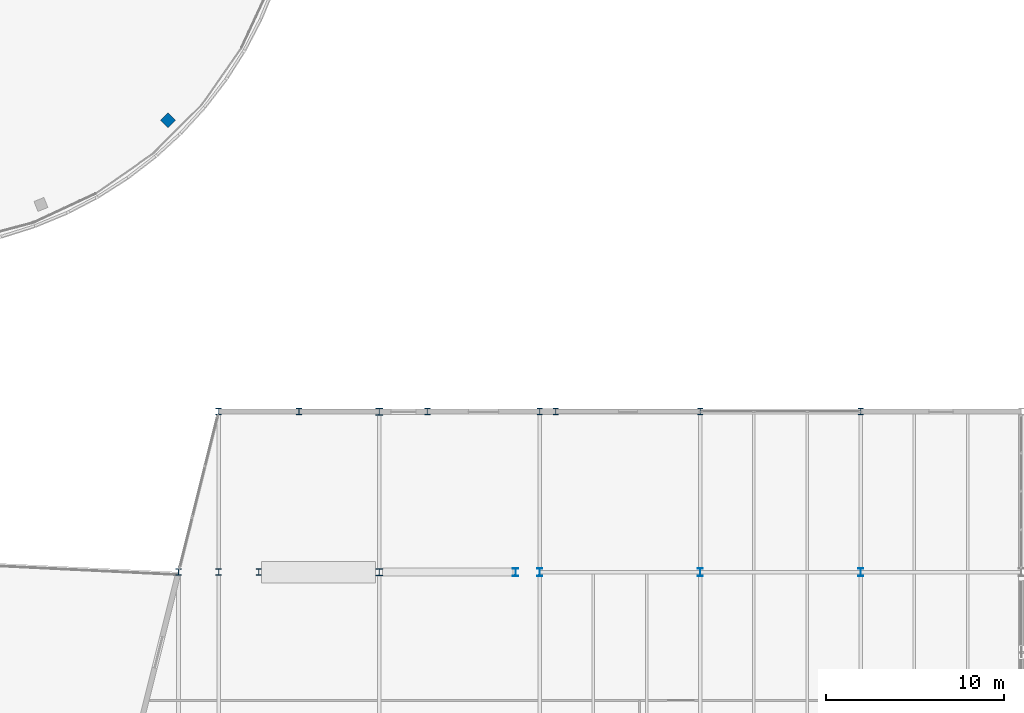
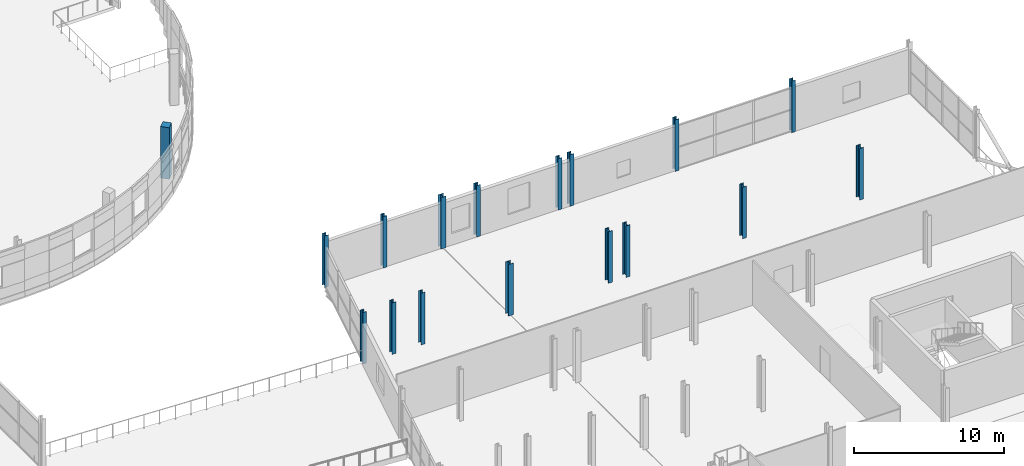
# One storey, part 19 of 135: 17 columns.
"""IFC4 building model written with IfcOpenShell, lengths in metres."""

from ifc_helpers import new_model, si_unit, direction, frame, origin, origin_2d, place, context, subcontext, project, spatial, rectangle, i_section, extrude, material, material_profile, profile_set, type_object, element, save


model = new_model("IFC4")

# Units and contexts
model_context = context("Model", 3, precision=1e-05, world=origin(), true_north=direction((0.0, 1.0)))
body_context = subcontext(model_context, "Body", "Model", "MODEL_VIEW")
ifc_project = project(units=[si_unit("LENGTHUNIT", "METRE"), si_unit("AREAUNIT", "SQUARE_METRE"), si_unit("VOLUMEUNIT", "CUBIC_METRE"), si_unit("PLANEANGLEUNIT", "RADIAN"), si_unit("MASSUNIT", "GRAM", prefix="KILO")], contexts=[model_context])

# Site, building, storey
site_placement = place(None, origin())
site = spatial("IfcSite", under=ifc_project, at=site_placement, CompositionType="ELEMENT")
building_placement = place(site_placement, origin())
building = spatial("IfcBuilding", under=site, at=building_placement, Name="Deido Ridge Mobility Hub", CompositionType="ELEMENT")
storey_placement = place(building_placement, frame((0.0, 0.0, 4.199951171875)))
storey = spatial("IfcBuildingStorey", under=building, at=storey_placement, Name="L01", CompositionType="ELEMENT", Elevation=4.199951171875)

# Columns
ifc_material_1 = material(Name="Steel S355J2 EN 10025-2", Category="steel")
ifc_material_profile_1 = material_profile(ifc_material_1, i_section(OverallWidth=0.39892578125, OverallDepth=0.39306640625, WebThickness=0.017578125, FlangeThickness=0.028076171875, FilletRadius=0.014892578125, at=origin_2d()), Name="HD 400x287")
ifc_profile_set_1 = profile_set([ifc_material_profile_1], Name="Steel S355J2 EN 10025-2")
column_type_1 = type_object("IfcColumnType", Name="COL-HD400-287", PredefinedType="COLUMN", material=ifc_profile_set_1)
for number, where, z_axis, x_axis, name in (
    (1, (144.0, 63.0, 0.0), (0.0, 0.0, 1.0), (1.0, 0.0, 0.0), "Structural column C2"),
    (2, (144.0, 72.0, 0.0), (0.0, 0.0, 1.0), (1.0, 0.0, 0.0), "Structural column C2"),
):
    element("IfcColumn", number, at=place(storey_placement, frame(where, z_axis=z_axis, x_axis=x_axis)), inside=storey, type_object=column_type_1, Name=name, PredefinedType="COLUMN", context=body_context, shape_type="SweptSolid", body=[
        extrude(i_section(OverallWidth=0.39892578125, OverallDepth=0.39306640625, WebThickness=0.017578125, FlangeThickness=0.028076171875, FilletRadius=0.014892578125, at=origin_2d()), origin(), (0.0, 0.0, 1.0), 4.199951171875),
    ])
ifc_material_profile_2 = material_profile(ifc_material_1, i_section(OverallWidth=0.300048828125, OverallDepth=0.360107421875, WebThickness=0.012451171875, FlangeThickness=0.0224609375, FilletRadius=0.027099609375, at=origin_2d()), Name="HEB 360")
ifc_profile_set_2 = profile_set([ifc_material_profile_2], Name="Steel S355J2 EN 10025-2")
column_type_2 = type_object("IfcColumnType", Name="COL-HEB360", PredefinedType="COLUMN", material=ifc_profile_set_2)
for number, where, z_axis, x_axis, name in (
    (3, (132.75, 63.0, 0.0), (0.0, 0.0, 1.0), (1.0, 0.0, 0.0), "Structural column C8"),
    (4, (135.0, 63.0, 0.0), (0.0, 0.0, 1.0), (1.0, 0.0, 0.0), "Structural column C8"),
    (5, (137.25, 63.0, 0.0), (0.0, 0.0, 1.0), (1.0, 0.0, 0.0), "Structural column C8"),
    (6, (135.0, 72.0, 0.0), (0.0, 0.0, 1.0), (1.0, 0.0, 0.0), "Structural column C8"),
    (7, (139.5, 72.0, 0.0), (0.0, 0.0, 1.0), (1.0, 0.0, 0.0), "Structural column C8"),
    (8, (146.699951171875, 72.0, 0.0), (0.0, 0.0, 1.0), (1.0, 0.0, 0.0), "Structural column C8"),
    (9, (153.0, 72.0, 0.0), (0.0, 0.0, 1.0), (1.0, 0.0, 0.0), "Structural column C8"),
    (10, (153.89990234375, 72.0, 0.0), (0.0, 0.0, 1.0), (1.0, 0.0, 0.0), "Structural column C8"),
    (11, (162.0, 72.0, 0.0), (0.0, 0.0, 1.0), (1.0, 0.0, 0.0), "Structural column C8"),
    (12, (171.0, 72.0, 0.0), (0.0, 0.0, 1.0), (1.0, 0.0, 0.0), "Structural column C8"),
):
    element("IfcColumn", number, at=place(storey_placement, frame(where, z_axis=z_axis, x_axis=x_axis)), inside=storey, type_object=column_type_2, Name=name, PredefinedType="COLUMN", context=body_context, shape_type="SweptSolid", body=[
        extrude(i_section(OverallWidth=0.300048828125, OverallDepth=0.360107421875, WebThickness=0.012451171875, FlangeThickness=0.0224609375, FilletRadius=0.027099609375, at=origin_2d()), origin(), (0.0, 0.0, 1.0), 4.199951171875),
    ])
ifc_material_profile_3 = material_profile(ifc_material_1, i_section(OverallWidth=0.300048828125, OverallDepth=0.449951171875, WebThickness=0.013916015625, FlangeThickness=0.02587890625, FilletRadius=0.027099609375, at=origin_2d()), Name="HEB 450")
ifc_profile_set_3 = profile_set([ifc_material_profile_3], Name="Steel S355J2 EN 10025-2")
column_type_3 = type_object("IfcColumnType", Name="COL-HEB450", PredefinedType="COLUMN", material=ifc_profile_set_3)
for number, where, z_axis, x_axis, name in (
    (13, (151.64990234375, 63.0, 0.0), (0.0, 0.0, 1.0), (1.0, 0.0, 0.0), "Structural column C6"),
    (14, (153.0, 63.0, 0.0), (0.0, 0.0, 1.0), (1.0, 0.0, 0.0), "Structural column C6"),
    (15, (162.0, 63.0, 0.0), (0.0, 0.0, 1.0), (1.0, 0.0, 0.0), "Structural column C6"),
    (16, (171.0, 63.0, 0.0), (0.0, 0.0, 1.0), (1.0, 0.0, 0.0), "Structural column C6"),
):
    element("IfcColumn", number, at=place(storey_placement, frame(where, z_axis=z_axis, x_axis=x_axis)), inside=storey, type_object=column_type_3, Name=name, PredefinedType="COLUMN", context=body_context, shape_type="SweptSolid", body=[
        extrude(i_section(OverallWidth=0.300048828125, OverallDepth=0.449951171875, WebThickness=0.013916015625, FlangeThickness=0.02587890625, FilletRadius=0.027099609375, at=origin_2d()), origin(), (0.0, 0.0, 1.0), 4.199951171875),
    ])
ifc_material_2 = material(Name="Concrete C40/50", Category="concrete")
ifc_material_profile_4 = material_profile(ifc_material_2, rectangle(XDim=0.60009765625, YDim=0.60009765625, at=origin_2d()), Name="RC COL 600x600")
ifc_profile_set_4 = profile_set([ifc_material_profile_4], Name="Concrete C40/50")
column_type_4 = type_object("IfcColumnType", Name="COL-RC600", PredefinedType="COLUMN", material=ifc_profile_set_4)
column_placement = place(storey_placement, frame((132.16748046875, 88.33251953125, 0.0), z_axis=(0.0, 0.0, 1.0), x_axis=(0.707106781187, -0.707106781187, 0.0)))
element("IfcColumn", 17, at=column_placement, inside=storey, type_object=column_type_4, Name="Structural column RC2", PredefinedType="COLUMN", context=body_context, shape_type="SweptSolid", body=[
    extrude(rectangle(XDim=0.60009765625, YDim=0.60009765625, at=origin_2d()), origin(), (0.0, 0.0, 1.0), 4.199951171875),
])

save(model, "model.ifc")
